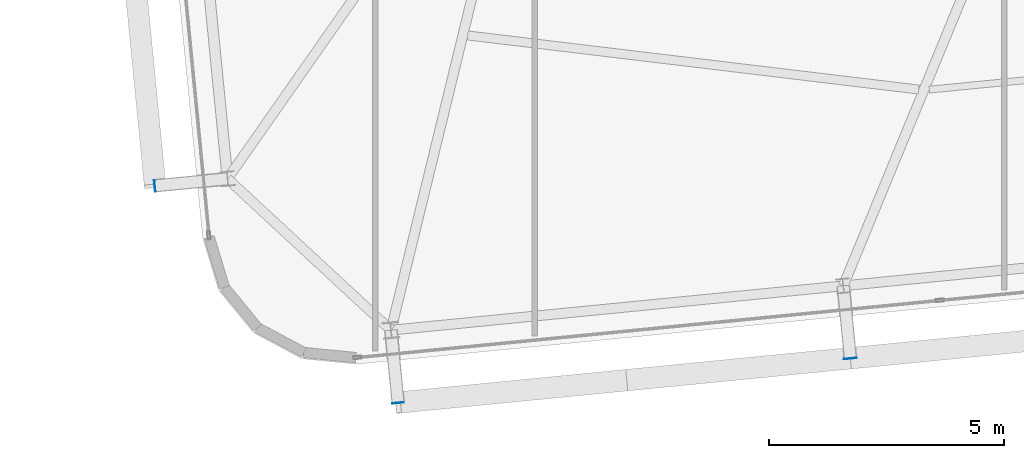
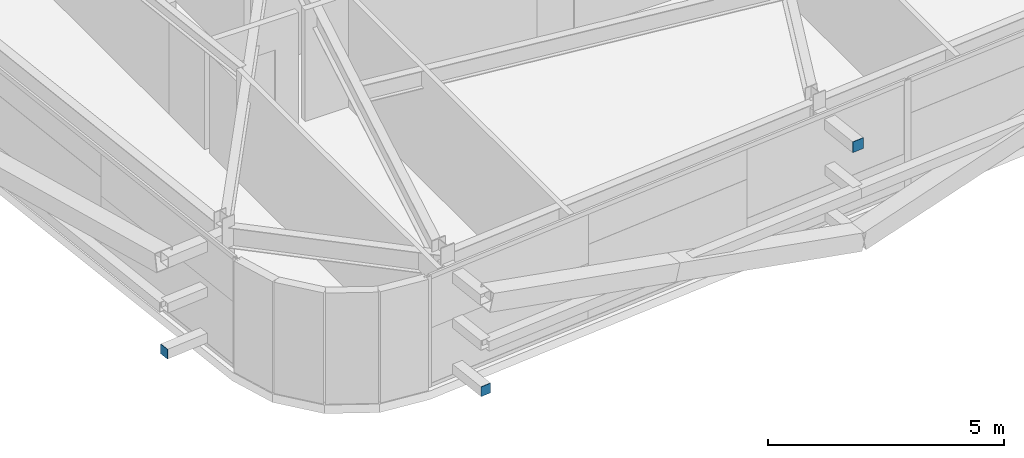
# One storey, part 33 of 47: 3 plates.
"""IFC4 building model written with IfcOpenShell, lengths in metres."""

from ifc_helpers import new_model, si_unit, direction, frame, origin, origin_2d, place, context, subcontext, project, spatial, rectangle, extrude, source, transform, mapped, material, layer, layer_set, type_object, element, save


model = new_model("IFC4")

# Units and contexts
model_context = context("Model", 3, precision=1e-05, world=origin(), true_north=direction((0.0, 1.0)))
body_context = subcontext(model_context, "Body", "Model", "MODEL_VIEW")
ifc_project = project(units=[si_unit("LENGTHUNIT", "METRE"), si_unit("AREAUNIT", "SQUARE_METRE"), si_unit("VOLUMEUNIT", "CUBIC_METRE"), si_unit("PLANEANGLEUNIT", "RADIAN"), si_unit("MASSUNIT", "GRAM", prefix="KILO")], contexts=[model_context])

# Site, building, storey
site_placement = place(None, origin())
site = spatial("IfcSite", under=ifc_project, at=site_placement, CompositionType="ELEMENT")
building_placement = place(site_placement, origin())
building = spatial("IfcBuilding", under=site, at=building_placement, Name="Taldren Reach Tower", CompositionType="ELEMENT")
storey_placement = place(building_placement, frame((0.0, 0.0, 109.199951171875)))
storey = spatial("IfcBuildingStorey", under=building, at=storey_placement, Name="L33", CompositionType="ELEMENT", Elevation=109.199951171875)

# Plates
ifc_material_1 = material(Name="Steel Gr 450 (C450L0)", Category="steel")
ifc_layer_1 = layer(ifc_material_1, 0.011962890625)
ifc_layer_set_1 = layer_set([ifc_layer_1], Name="Steel Gr 450 (C450L0)")
plate_type_1 = type_object("IfcPlateType", Name="PL-CAP-275", PredefinedType="SHEET", material=ifc_layer_set_1)
shared_shape_1 = source(origin(), body_context, "Body", "SweptSolid", [
    extrude(rectangle(XDim=0.27490234375, YDim=0.011962890625, at=origin_2d()), origin(), (0.0, 0.0, 1.0), 0.27490234375),
])
plate_1_placement = place(storey_placement, frame((24.7197265625, -0.683837890625, 2.45263671875), z_axis=(0.0, 0.0, 1.0), x_axis=(0.995227399982, 0.097582899759, 0.0)))
element("IfcPlate", 1, at=plate_1_placement, inside=storey, type_object=plate_type_1, Name="Tie strut end cap plate B2-S2 L33", PredefinedType="SHEET", context=body_context, shape_type="MappedRepresentation", body=[
    mapped(shared_shape_1, transform((0.0, 0.0, 0.0), scale=1.0)),
])
ifc_material_2 = material(Name="Steel Gr 350 (C350L0)", Category="steel")
ifc_layer_2 = layer(ifc_material_2, 0.011962890625)
ifc_layer_set_2 = layer_set([ifc_layer_2], Name="Steel Gr 350 (C350L0)")
plate_type_2 = type_object("IfcPlateType", Name="PL-CAP-250", PredefinedType="SHEET", material=ifc_layer_set_2)
shared_shape_2 = source(origin(), body_context, "Body", "SweptSolid", [
    extrude(rectangle(XDim=0.25, YDim=0.011962890625, at=origin_2d()), origin(), (0.0, 0.0, 1.0), 0.25),
])
plate_2_placement = place(storey_placement, frame((15.0859375, -1.62841796875, 0.094970703125), z_axis=(0.0, 0.0, 1.0), x_axis=(0.995227399982, 0.097582899759, 0.0)))
element("IfcPlate", 2, at=plate_2_placement, inside=storey, type_object=plate_type_2, Name="Tie strut end cap plate B2-S1 L33", PredefinedType="SHEET", context=body_context, shape_type="MappedRepresentation", body=[
    mapped(shared_shape_2, transform((0.0, 0.0, 0.0), scale=1.0)),
])
shared_shape_3 = source(origin(), body_context, "Body", "SweptSolid", [
    extrude(rectangle(XDim=0.011962890625, YDim=0.25, at=origin_2d()), origin(), (0.0, 0.0, 1.0), 0.25),
])
plate_3_placement = place(storey_placement, frame((9.904296875, 2.993896484375, 0.094970703125), z_axis=(0.0, 0.0, 1.0), x_axis=(0.995227399982, 0.097582899759, 0.0)))
element("IfcPlate", 3, at=plate_3_placement, inside=storey, type_object=plate_type_2, Name="Tie strut end cap plate B2-W1 L33", PredefinedType="SHEET", context=body_context, shape_type="MappedRepresentation", body=[
    mapped(shared_shape_3, transform((0.0, 0.0, 0.0), scale=1.0)),
])

save(model, "model.ifc")
